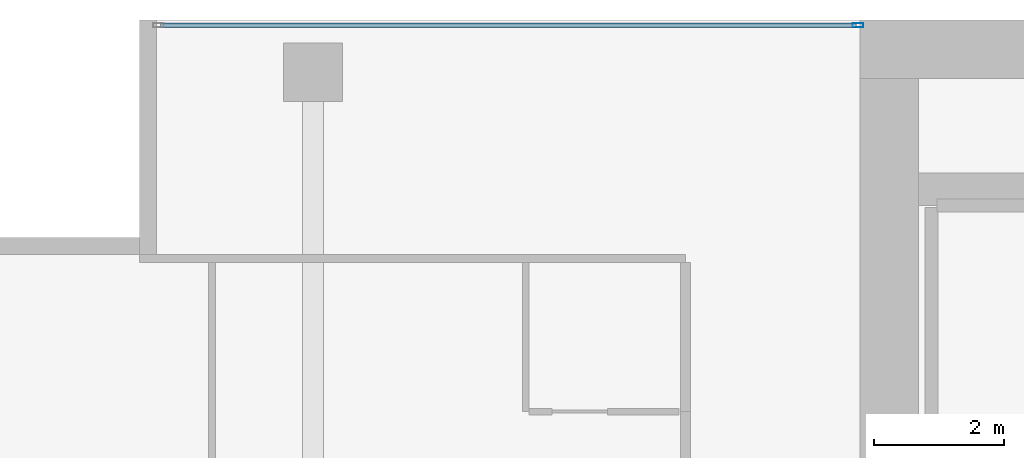
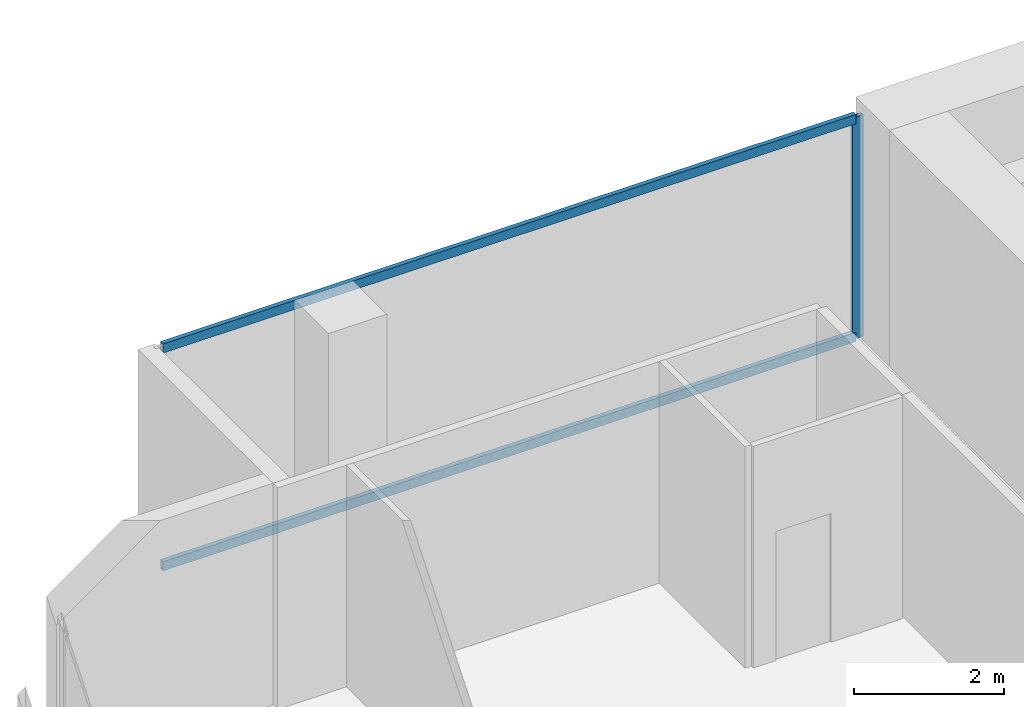
# One storey, part 26 of 40: 3 members, 1 element without a shape of its own.
"""IFC4 building model written with IfcOpenShell, lengths in metres."""

from ifc_helpers import new_model, si_unit, direction, frame, origin, origin_2d, place, context, subcontext, project, spatial, hollow_rectangle, extrude, material, layer, layer_set, material_profile, profile_set, type_object, element, aggregate, save


model = new_model("IFC4")

# Units and contexts
model_context = context("Model", 3, precision=1e-05, world=origin(), true_north=direction((0.0, 1.0)))
body_context = subcontext(model_context, "Body", "Model", "MODEL_VIEW")
ifc_project = project(units=[si_unit("LENGTHUNIT", "METRE"), si_unit("AREAUNIT", "SQUARE_METRE"), si_unit("VOLUMEUNIT", "CUBIC_METRE"), si_unit("PLANEANGLEUNIT", "RADIAN"), si_unit("MASSUNIT", "GRAM", prefix="KILO")], contexts=[model_context])

# Site, building, storey
site_placement = place(None, origin())
site = spatial("IfcSite", under=ifc_project, at=site_placement, CompositionType="ELEMENT")
building_placement = place(site_placement, origin())
building = spatial("IfcBuilding", under=site, at=building_placement, Name="Maruvema Waterfront Hotel and Observation Tower", CompositionType="ELEMENT")
storey_placement = place(building_placement, frame((0.0, 0.0, 73.14990234375)))
storey = spatial("IfcBuildingStorey", under=building, at=storey_placement, Name="L17", CompositionType="ELEMENT", Elevation=73.14990234375)

# Curtain wall, members
ifc_material_1 = material(Name="Anodised bronze aluminium and solar-control low-E IGU", Category="aluminium")
ifc_layer = layer(ifc_material_1, 0.159912109375, Name="Zone 1 Bronze Inner Thermal Curtain Wall System CW-02")
ifc_layer_set = layer_set([ifc_layer], Name="Anodised bronze aluminium and solar-control low-E IGU")
curtain_wall_type = type_object("IfcCurtainWallType", Name="Zone 1 Bronze Inner Thermal Curtain Wall System CW-02", PredefinedType="USERDEFINED", material=ifc_layer_set)
curtain_wall_placement = place(storey_placement, origin())
curtain_wall = element("IfcCurtainWall", 1, at=curtain_wall_placement, inside=storey, type_object=curtain_wall_type, Name="L17 Curtain Wall CW-L17-NW", ObjectType="UNITISED CURTAIN WALL", PredefinedType="USERDEFINED")
ifc_material_2 = material(Name="Anodised architectural bronze aluminium", Category="aluminium")
ifc_material_profile_1 = material_profile(ifc_material_2, hollow_rectangle(XDim=0.070068359375, YDim=0.14990234375, WallThickness=0.00390625, at=origin_2d()), Name="ALU-T70x150")
ifc_profile_set_1 = profile_set([ifc_material_profile_1], Name="Anodised architectural bronze aluminium")
member_type_1 = type_object("IfcMemberType", Name="Curtain Wall Horizontal Transom ALU-T70x150", PredefinedType="USERDEFINED", material=ifc_profile_set_1)
member_1_placement = place(storey_placement, frame((25.139892578125, 53.919921875, 0.030029296875), z_axis=(-1.0, 0.0, 0.0), x_axis=(0.0, -1.0, 0.0)))
member_1 = element("IfcMember", 2, at=member_1_placement, type_object=member_type_1, Name="CW-02 transom 1.1", ObjectType="TRANSOM", PredefinedType="USERDEFINED", context=body_context, shape_type="SweptSolid", body=[
    extrude(hollow_rectangle(XDim=0.070068359375, YDim=0.14990234375, WallThickness=0.00390625, at=origin_2d()), origin(), (0.0, 0.0, 1.0), 10.679931640625),
])
member_2_placement = place(storey_placement, frame((25.139892578125, 53.919921875, 3.580078125), z_axis=(-1.0, 0.0, 0.0), x_axis=(0.0, -1.0, 0.0)))
member_2 = element("IfcMember", 3, at=member_2_placement, type_object=member_type_1, Name="CW-02 transom 1.2", ObjectType="TRANSOM", PredefinedType="USERDEFINED", context=body_context, shape_type="SweptSolid", body=[
    extrude(hollow_rectangle(XDim=0.070068359375, YDim=0.14990234375, WallThickness=0.00390625, at=origin_2d()), origin(), (0.0, 0.0, 1.0), 10.679931640625),
])
ifc_material_3 = material(Name="Anodised architectural bronze aluminium", Category="aluminium")
ifc_material_profile_2 = material_profile(ifc_material_3, hollow_rectangle(XDim=0.06494140625, YDim=0.1650390625, WallThickness=0.00390625, at=origin_2d()), Name="ALU-M65x165")
ifc_profile_set_2 = profile_set([ifc_material_profile_2], Name="Anodised architectural bronze aluminium")
member_type_2 = type_object("IfcMemberType", Name="Curtain Wall Primary Mullion ALU-M65x165", PredefinedType="MULLION", material=ifc_profile_set_2)
member_3_placement = place(storey_placement, frame((25.169921875, 53.919921875, 0.0), z_axis=(0.0, 0.0, 1.0), x_axis=(0.0, -1.0, 0.0)))
member_3 = element("IfcMember", 4, at=member_3_placement, type_object=member_type_2, Name="CW-02 mullion 1", PredefinedType="MULLION", context=body_context, shape_type="SweptSolid", body=[
    extrude(hollow_rectangle(XDim=0.06494140625, YDim=0.1650390625, WallThickness=0.00390625, at=origin_2d()), origin(), (0.0, 0.0, 1.0), 3.610107421875),
])
aggregate(curtain_wall, [member_3, member_1, member_2])

save(model, "model.ifc")
